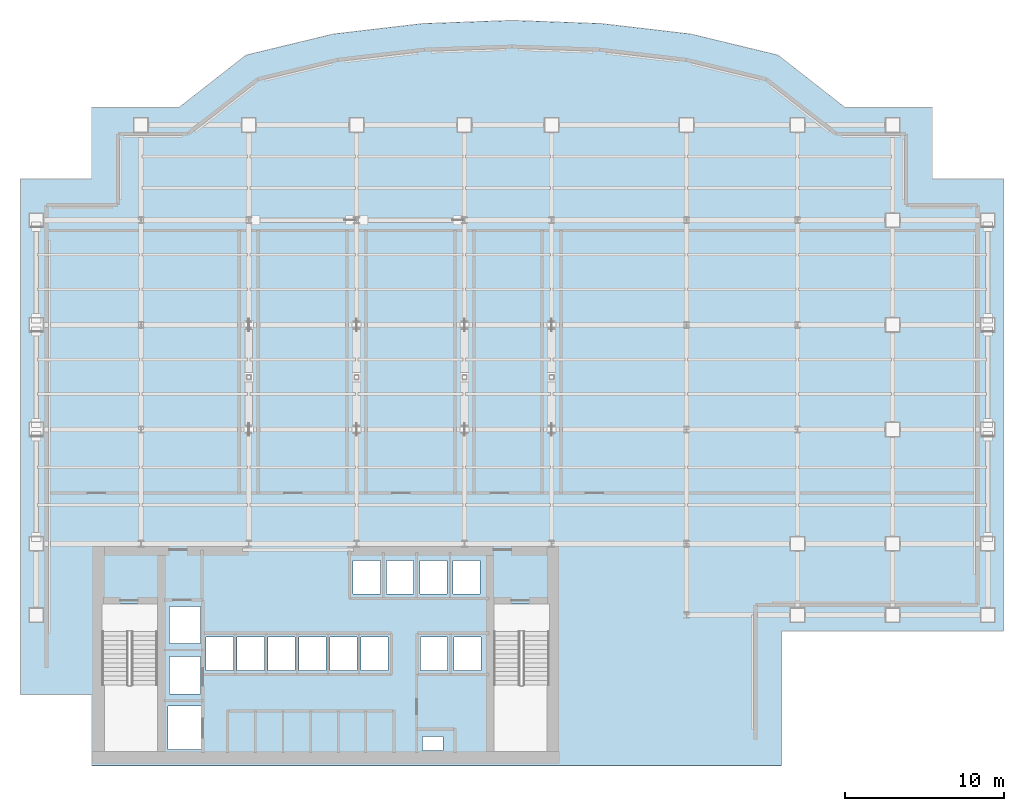
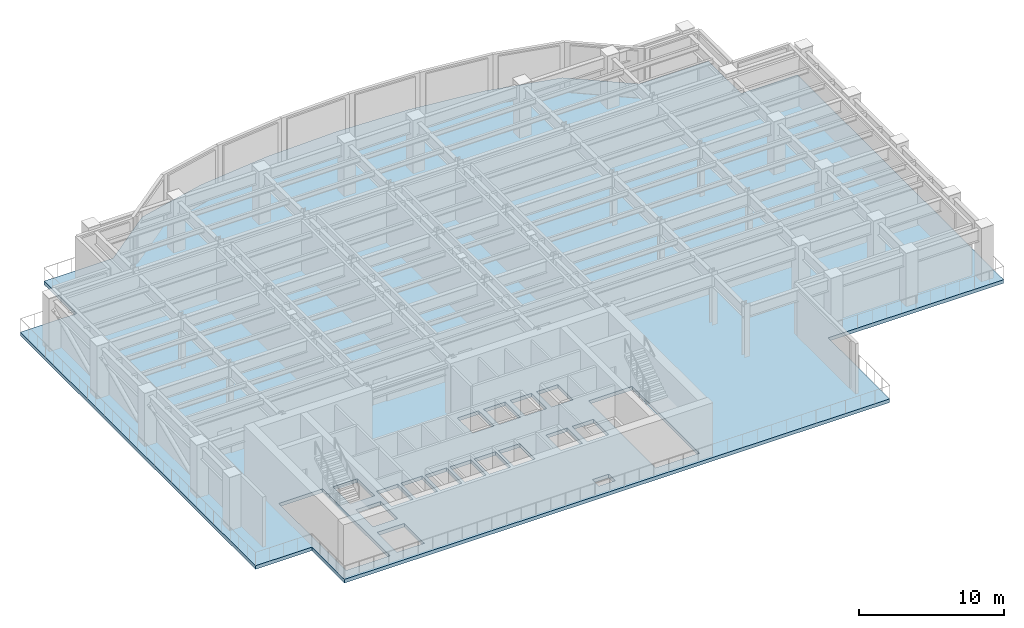
# One storey, part 6 of 14: 1 slab.
"""IFC4 building model written with IfcOpenShell, lengths in metres."""

from ifc_helpers import new_model, si_unit, derived_unit, direction, frame, origin, place, context, subcontext, project, spatial, polyline, outline, extrude, material, layer, layer_set, type_object, element, save


model = new_model("IFC4")

# Units and contexts
model_context = context("Model", 3, precision=1e-05, world=origin(), true_north=direction((0.0, 1.0)))
body_context = subcontext(model_context, "Body", "Model", "MODEL_VIEW")
ifc_project = project(units=[si_unit("LENGTHUNIT", "METRE"), si_unit("AREAUNIT", "SQUARE_METRE"), si_unit("VOLUMEUNIT", "CUBIC_METRE"), si_unit("PLANEANGLEUNIT", "RADIAN"), si_unit("MASSUNIT", "GRAM", prefix="KILO"), derived_unit("THERMALTRANSMITTANCEUNIT", [(si_unit("POWERUNIT", "WATT"), 1), (si_unit("LENGTHUNIT", "METRE"), -2), (si_unit("THERMODYNAMICTEMPERATUREUNIT", "KELVIN"), -1)])], contexts=[model_context])

# Site, building, storey
site_placement = place(None, origin())
site = spatial("IfcSite", under=ifc_project, at=site_placement, CompositionType="ELEMENT")
building_placement = place(site_placement, origin())
building = spatial("IfcBuilding", under=site, at=building_placement, Name="Skarnbrae Concourse Arena and Tower", CompositionType="ELEMENT")
storey_placement = place(building_placement, frame((0.0, 0.0, 84.14990234375)))
storey = spatial("IfcBuildingStorey", under=building, at=storey_placement, Name="L20", CompositionType="ELEMENT", Elevation=84.14990234375)

# Slab
ifc_material = material(Name="Concrete 40 MPa (C40/50)", Category="concrete")
ifc_layer = layer(ifc_material, 0.300048828125)
ifc_layer_set = layer_set([ifc_layer], Name="Concrete 40 MPa (C40/50)")
slab_type = type_object("IfcSlabType", Name="SLAB-PODIUM-300", PredefinedType="FLOOR", material=ifc_layer_set)
slab_placement = place(storey_placement, frame((0.0, 0.0, -0.2998046875)))
element("IfcSlab", 1, at=slab_placement, inside=storey, type_object=slab_type, Name="L20 Structural floor slab", PredefinedType="FLOOR", context=body_context, shape_type="SweptSolid", body=[
    extrude(outline(polyline([(4.5, 0.0), (48.0, 0.0), (48.0, 8.5), (62.0, 8.5), (62.0, 37.0), (57.5, 37.0), (57.5, 41.5), (52.0, 41.5), (47.766357421875, 44.811767578125), (42.2724609375, 46.140380859375), (36.65380859375, 46.796875), (31.0, 47.0), (25.34619140625, 46.796875), (19.7275390625, 46.140380859375), (14.233642578125, 44.811767578125), (10.0, 41.5), (4.5, 41.5), (4.5, 37.0), (0.0, 37.0), (0.0, 4.5), (4.5, 4.5), (4.5, 0.0)]), holes=[polyline([(9.294921875, 3.780029296875), (11.455078125, 3.780029296875), (11.455078125, 1.02001953125), (9.294921875, 1.02001953125), (9.294921875, 3.780029296875)]), polyline([(8.64990234375, 10.199951171875), (8.64990234375, 0.89990234375), (5.14990234375, 0.89990234375), (5.14990234375, 10.199951171875), (8.64990234375, 10.199951171875)]), polyline([(9.39501953125, 6.8798828125), (11.35498046875, 6.8798828125), (11.35498046875, 4.52001953125), (9.39501953125, 4.52001953125), (9.39501953125, 6.8798828125)]), polyline([(11.719970703125, 8.10498046875), (13.429931640625, 8.10498046875), (13.429931640625, 5.9951171875), (11.719970703125, 5.9951171875), (11.719970703125, 8.10498046875)]), polyline([(13.669921875, 8.10498046875), (15.3798828125, 8.10498046875), (15.3798828125, 5.9951171875), (13.669921875, 5.9951171875), (13.669921875, 8.10498046875)]), polyline([(15.6201171875, 8.10498046875), (17.330078125, 8.10498046875), (17.330078125, 5.9951171875), (15.6201171875, 5.9951171875), (15.6201171875, 8.10498046875)]), polyline([(17.570068359375, 8.10498046875), (19.280029296875, 8.10498046875), (19.280029296875, 5.9951171875), (17.570068359375, 5.9951171875), (17.570068359375, 8.10498046875)]), polyline([(21.22998046875, 8.10498046875), (21.22998046875, 5.9951171875), (19.52001953125, 5.9951171875), (19.52001953125, 8.10498046875), (21.22998046875, 8.10498046875)]), polyline([(11.35498046875, 10.054931640625), (11.35498046875, 7.695068359375), (9.39501953125, 7.695068359375), (9.39501953125, 10.054931640625), (11.35498046875, 10.054931640625)]), polyline([(25.35009765625, 1.85009765625), (26.64990234375, 1.85009765625), (26.64990234375, 0.949951171875), (25.35009765625, 0.949951171875), (25.35009765625, 1.85009765625)]), polyline([(33.35009765625, 10.199951171875), (33.35009765625, 0.89990234375), (29.85009765625, 0.89990234375), (29.85009765625, 10.199951171875), (33.35009765625, 10.199951171875)]), polyline([(21.469970703125, 8.10498046875), (23.179931640625, 8.10498046875), (23.179931640625, 5.9951171875), (21.469970703125, 5.9951171875), (21.469970703125, 8.10498046875)]), polyline([(25.235107421875, 8.10498046875), (26.945068359375, 8.10498046875), (26.945068359375, 5.9951171875), (25.235107421875, 5.9951171875), (25.235107421875, 8.10498046875)]), polyline([(27.3349609375, 8.10498046875), (29.044921875, 8.10498046875), (29.044921875, 5.9951171875), (27.3349609375, 5.9951171875), (27.3349609375, 8.10498046875)]), polyline([(20.985107421875, 12.955078125), (22.695068359375, 12.955078125), (22.695068359375, 10.844970703125), (20.985107421875, 10.844970703125), (20.985107421875, 12.955078125)]), polyline([(23.0849609375, 12.955078125), (24.794921875, 12.955078125), (24.794921875, 10.844970703125), (23.0849609375, 10.844970703125), (23.0849609375, 12.955078125)]), polyline([(26.89501953125, 12.955078125), (26.89501953125, 10.844970703125), (25.18505859375, 10.844970703125), (25.18505859375, 12.955078125), (26.89501953125, 12.955078125)]), polyline([(28.9951171875, 12.955078125), (28.9951171875, 10.844970703125), (27.284912109375, 10.844970703125), (27.284912109375, 12.955078125), (28.9951171875, 12.955078125)])]), origin(), (0.0, 0.0, 1.0), 0.2998046875),
])

save(model, "model.ifc")
